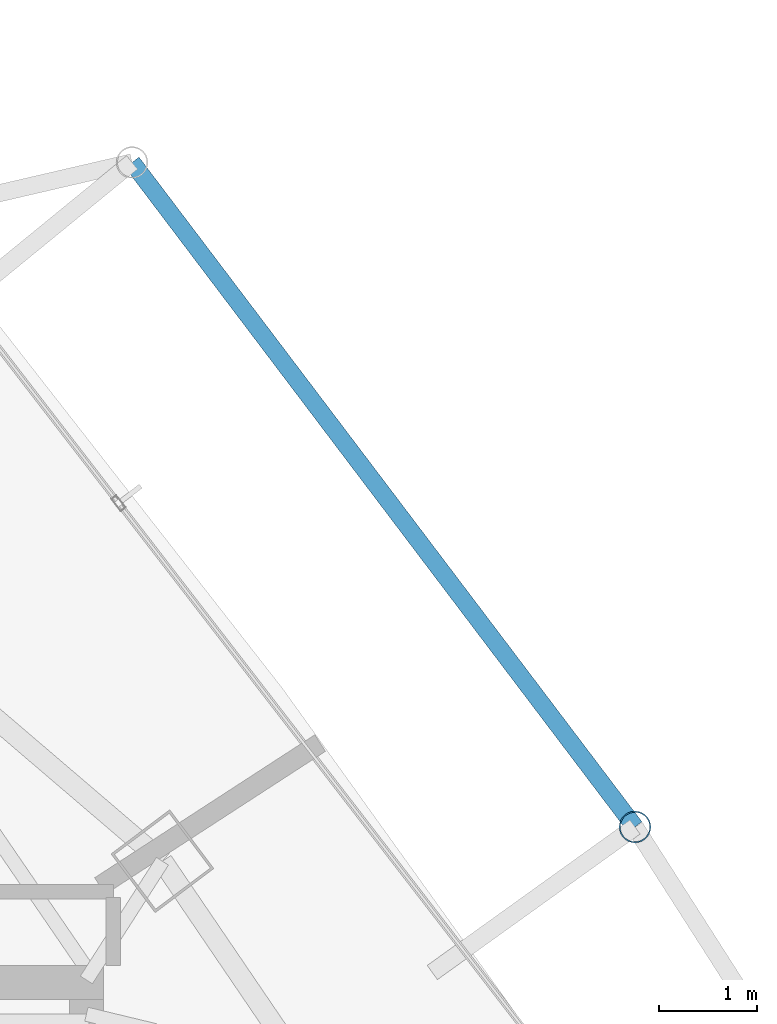
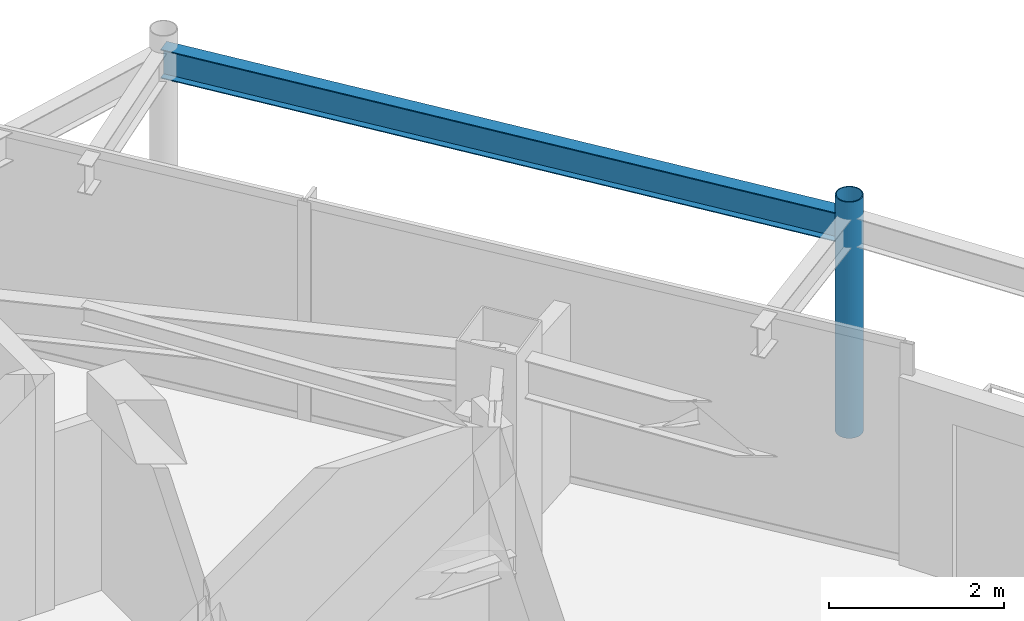
# One storey, part 24 of 30: 1 beam, 1 member.
"""IFC4 building model written with IfcOpenShell, lengths in metres."""

import ifcopenshell
import ifcopenshell.guid

model = None  # the IFC model being written
_history = None  # IfcOwnerHistory: only IFC2X3 demands one
_inside = {}  # id of a spatial element -> (the spatial element, [elements in it])
_under = {}  # id of a project, library or spatial element -> (it, [spatial elements below it])
_declared = {}  # id of a project -> (the project, [libraries it declares])
_typed = {}  # id of a type object -> (the type object, [elements of that type])
_made_of = {}  # id of a material, layer set ... -> (it, [elements and type objects made of it])


def new_model(schema):
    """Start an empty IFC model of exactly this schema.

    Asked for "IFC4X3", IfcOpenShell would pick the latest addendum, in which some entities
    have other attributes; the version numbers below select the first issue.
    IFC2X3 requires an IfcOwnerHistory on every rooted entity: one is made here for all.
    """
    global model, _history
    if schema == "IFC4X3":
        model = ifcopenshell.file(schema_version=(4, 3, 0, 0))
    else:
        model = ifcopenshell.file(schema=schema)
    _inside.clear()
    _under.clear()
    _declared.clear()
    _typed.clear()
    _made_of.clear()
    _history = None
    if model.schema == "IFC2X3":
        org = make("IfcOrganization", Name="unknown")
        user = make(
            "IfcPersonAndOrganization",
            ThePerson=make("IfcPerson", FamilyName="unknown"),
            TheOrganization=org,
        )
        app = make(
            "IfcApplication",
            ApplicationDeveloper=org,
            Version="unknown",
            ApplicationFullName="unknown",
            ApplicationIdentifier="unknown",
        )
        _history = make(
            "IfcOwnerHistory",
            OwningUser=user,
            OwningApplication=app,
            ChangeAction="ADDED",
            CreationDate=0,
        )
    return model


def make(cls, **values):
    """One entity of the class cls with the attributes given. An attribute that is None is left unset."""
    return model.create_entity(
        cls, **{name: value for name, value in values.items() if value is not None}
    )


def rooted(cls, **values):
    """An entity with a GlobalId (a new one), such as an element, a storey or a relation."""
    return make(cls, GlobalId=ifcopenshell.guid.new(), OwnerHistory=_history, **values)


def si_unit(unit_type, name, prefix=None):
    """IfcSIUnit, for example si_unit("LENGTHUNIT", "METRE", prefix="MILLI")."""
    return make("IfcSIUnit", UnitType=unit_type, Prefix=prefix, Name=name)


def assignment(units):
    """IfcUnitAssignment: the units of a project."""
    return None if units is None else make("IfcUnitAssignment", Units=units)


def point(xyz):
    """IfcCartesianPoint."""
    return None if xyz is None else make("IfcCartesianPoint", Coordinates=xyz)


def direction(xyz):
    """IfcDirection."""
    return None if xyz is None else make("IfcDirection", DirectionRatios=xyz)


def frame(location, z_axis=None, x_axis=None):
    """IfcAxis2Placement3D, a coordinate frame: its origin and axes. An axis left out is left unset."""
    return make(
        "IfcAxis2Placement3D",
        Location=point(location),
        Axis=direction(z_axis),
        RefDirection=direction(x_axis),
    )


def frame_2d(location, x_axis=None):
    """IfcAxis2Placement2D, a coordinate frame in the plane: its origin and x axis."""
    return make(
        "IfcAxis2Placement2D", Location=point(location), RefDirection=direction(x_axis)
    )


def origin():
    """The frame at (0, 0, 0) with its axes left unset."""
    return frame((0.0, 0.0, 0.0))


def origin_2d():
    """The frame at (0, 0) in the plane with its x axis left unset."""
    return frame_2d((0.0, 0.0))


def place(relative_to, where):
    """IfcLocalPlacement: puts the frame where relative to a parent placement (None: the world)."""
    return make(
        "IfcLocalPlacement", PlacementRelTo=relative_to, RelativePlacement=where
    )


def context(
    kind, dimensions, precision=None, world=None, true_north=None, identifier=None
):
    """IfcGeometricRepresentationContext, for example the 3D "Model" context."""
    return make(
        "IfcGeometricRepresentationContext",
        ContextIdentifier=identifier,
        ContextType=kind,
        CoordinateSpaceDimension=dimensions,
        Precision=precision,
        WorldCoordinateSystem=world,
        TrueNorth=true_north,
    )


def subcontext(parent, identifier, kind, view, scale=None):
    """IfcGeometricRepresentationSubContext, for example "Body" below "Model"."""
    return make(
        "IfcGeometricRepresentationSubContext",
        ContextIdentifier=identifier,
        ContextType=kind,
        ParentContext=parent,
        TargetScale=scale,
        TargetView=view,
    )


def project(units=None, contexts=None):
    """IfcProject with its units and contexts."""
    return rooted(
        "IfcProject",
        Name="project",
        RepresentationContexts=contexts,
        UnitsInContext=assignment(units),
    )


def spatial(cls, under=None, at=None, **own):
    """A site, building, storey or space (cls), placed at a placement, below another one or the project."""
    s = rooted(cls, ObjectPlacement=at, **own)
    if under is not None:
        _under.setdefault(under.id(), (under, []))[1].append(s)
    return s


def profile(cls, at=None, kind="AREA", **sizes):
    """A parametric profile (cls). Its sizes go by their IFC names, for example OverallWidth=200.0."""
    return make(cls, ProfileType=kind, Position=at, **sizes)


def hollow_circle(**sizes):
    """IfcCircleHollowProfileDef."""
    return profile("IfcCircleHollowProfileDef", **sizes)


def i_section(**sizes):
    """IfcIShapeProfileDef."""
    return profile("IfcIShapeProfileDef", **sizes)


def extrude(swept, where, along, depth):
    """IfcExtrudedAreaSolid: the profile swept, set in the frame where, extruded along a direction by depth."""
    return make(
        "IfcExtrudedAreaSolid",
        SweptArea=swept,
        Position=where,
        ExtrudedDirection=direction(along),
        Depth=depth,
    )


def shape(context_of_items, identifier, shape_type, items):
    """IfcShapeRepresentation: the items that make up one representation, for example the "Body"."""
    return make(
        "IfcShapeRepresentation",
        ContextOfItems=context_of_items,
        RepresentationIdentifier=identifier,
        RepresentationType=shape_type,
        Items=items,
    )


def material(Name=None, Category=None):
    """IfcMaterial."""
    return make("IfcMaterial", Name=Name, Category=Category)


def material_profile(
    of_material, cross_section, Name=None, Category=None, Priority=None
):
    """IfcMaterialProfile: a cross section and its material."""
    return make(
        "IfcMaterialProfile",
        Name=Name,
        Material=of_material,
        Profile=cross_section,
        Priority=Priority,
        Category=Category,
    )


def profile_set(profiles, Name=None, composite=None):
    """IfcMaterialProfileSet."""
    return make(
        "IfcMaterialProfileSet",
        Name=Name,
        MaterialProfiles=profiles,
        CompositeProfile=composite,
    )


def made_of(thing, what):
    """Note that an element or type object is made of a material, layer set ...; save() writes the relation."""
    if what is not None:
        _made_of.setdefault(what.id(), (what, []))[1].append(thing)
    return thing


def type_object(cls, material=None, **own):
    """A type object (cls), such as IfcWallType, which elements share."""
    return made_of(rooted(cls, **own), material)


def element(
    cls,
    number,
    at=None,
    inside=None,
    cuts=None,
    type_object=None,
    material=None,
    context=None,
    identifier="Body",
    shape_type=None,
    held_by="IfcProductDefinitionShape",
    body=None,
    shapes=None,
    **own,
):
    """One element of the class cls, such as IfcWall. Its Tag is "e" and its number.

    at: its placement. inside: the storey or other place that contains it. cuts: it is an
    opening in that element (IfcRelVoidsElement). A single representation is given by context,
    identifier, shape_type and body (its items); several are given by shapes. held_by: the class
    of the entity that holds the representations. save() writes the other relations.
    """
    e = rooted(cls, Tag="e%d" % number, ObjectPlacement=at, **own)
    if body is not None:
        shapes = [shape(context, identifier, shape_type, body)]
    if shapes is not None:
        e.Representation = make(held_by, Representations=shapes)
    if inside is not None:
        _inside.setdefault(inside.id(), (inside, []))[1].append(e)
    if cuts is not None:
        rooted(
            "IfcRelVoidsElement", RelatingBuildingElement=cuts, RelatedOpeningElement=e
        )
    if type_object is not None:
        _typed.setdefault(type_object.id(), (type_object, []))[1].append(e)
    return made_of(e, material)


def aggregate(whole, parts):
    """IfcRelAggregates: a whole, such as a stair, and the parts it consists of."""
    return rooted("IfcRelAggregates", RelatingObject=whole, RelatedObjects=parts)


def save(model, path):
    """Write the relations noted so far, then the file.

    IfcRelAggregates (storeys below a building ...), IfcRelContainedInSpatialStructure (elements
    in a storey), IfcRelDefinesByType, IfcRelAssociatesMaterial and IfcRelDeclares: one each for
    every whole, place, type object, material and project.
    """
    for whole, parts in _under.values():
        aggregate(whole, parts)
    for where, things in _inside.values():
        rooted(
            "IfcRelContainedInSpatialStructure",
            RelatedElements=things,
            RelatingStructure=where,
        )
    for kind, things in _typed.values():
        rooted("IfcRelDefinesByType", RelatedObjects=things, RelatingType=kind)
    for what, things in _made_of.values():
        rooted("IfcRelAssociatesMaterial", RelatedObjects=things, RelatingMaterial=what)
    for by, libraries in _declared.values():
        rooted("IfcRelDeclares", RelatingContext=by, RelatedDefinitions=libraries)
    model.write(path)


model = new_model("IFC4")

# Units and contexts
model_context = context("Model", 3, precision=1e-05, world=origin(), true_north=direction((0.0, 1.0)))
body_context = subcontext(model_context, "Body", "Model", "MODEL_VIEW")
ifc_project = project(units=[si_unit("LENGTHUNIT", "METRE"), si_unit("AREAUNIT", "SQUARE_METRE"), si_unit("VOLUMEUNIT", "CUBIC_METRE"), si_unit("PLANEANGLEUNIT", "RADIAN"), si_unit("MASSUNIT", "GRAM", prefix="KILO")], contexts=[model_context])

# Site, building, storey
site_placement = place(None, origin())
site = spatial("IfcSite", under=ifc_project, at=site_placement, CompositionType="ELEMENT")
building_placement = place(site_placement, origin())
building = spatial("IfcBuilding", under=site, at=building_placement, Name="Orvanel Arch Residences", CompositionType="ELEMENT")
storey_placement = place(building_placement, frame((0.0, 0.0, 226.10009765625)))
storey = spatial("IfcBuildingStorey", under=building, at=storey_placement, Name="L64", CompositionType="ELEMENT", Elevation=226.10009765625)

# Beam
ifc_material_1 = material(Name="Structural steel AS/NZS 3679.1 Grade 300 (300 MPa)", Category="steel")
ifc_material_profile_1 = material_profile(ifc_material_1, i_section(OverallWidth=0.177978515625, OverallDepth=0.406005859375, WebThickness=0.0078125, FlangeThickness=0.0126953125, at=origin_2d()), Name="410UB59.7")
ifc_profile_set_1 = profile_set([ifc_material_profile_1], Name="Structural steel AS/NZS 3679.1 Grade 300 (300 MPa)")
beam_type = type_object("IfcBeamType", Name="OB-410UB-EXT", PredefinedType="SPANDREL", material=ifc_profile_set_1)
beam_placement = place(storey_placement, frame((45.180908203125, 35.462890625, 2.85693359375), z_axis=(-0.603425426844, 0.797419434324, 0.0), x_axis=(-0.797419434324, -0.603425426844, 0.0)))
element("IfcBeam", 1, at=beam_placement, inside=storey, type_object=beam_type, Name="L64 Outer Perimeter Floor Ring Beam 11", PredefinedType="SPANDREL", context=body_context, shape_type="SweptSolid", body=[
    extrude(i_section(OverallWidth=0.177978515625, OverallDepth=0.406005859375, WebThickness=0.0078125, FlangeThickness=0.0126953125, at=origin_2d()), origin(), (0.0, 0.0, 1.0), 8.516357421875),
])

# Member
ifc_material_2 = material(Name="Structural steel AS/NZS 1163 C350L0 (Grade 350)", Category="steel")
ifc_material_profile_2 = material_profile(ifc_material_2, hollow_circle(Radius=0.162109375, WallThickness=0.0126953125, at=origin_2d()), Name="CHS324x12.7")
ifc_profile_set_2 = profile_set([ifc_material_profile_2], Name="Structural steel AS/NZS 1163 C350L0 (Grade 350)")
member_type = type_object("IfcMemberType", Name="ST-324CHS-EXT", PredefinedType="STRUT", material=ifc_profile_set_2)
member_placement = place(storey_placement, frame((45.180908203125, 35.462890625, 0.0), z_axis=(0.0, 0.0, 1.0), x_axis=(1.0, 0.0, 0.0)))
element("IfcMember", 2, at=member_placement, inside=storey, type_object=member_type, Name="L64 Outer Perimeter Frame Post 11", PredefinedType="STRUT", context=body_context, shape_type="SweptSolid", body=[
    extrude(hollow_circle(Radius=0.162109375, WallThickness=0.0126953125, at=origin_2d()), origin(), (0.0, 0.0, 1.0), 3.2998046875),
])

save(model, "model.ifc")
